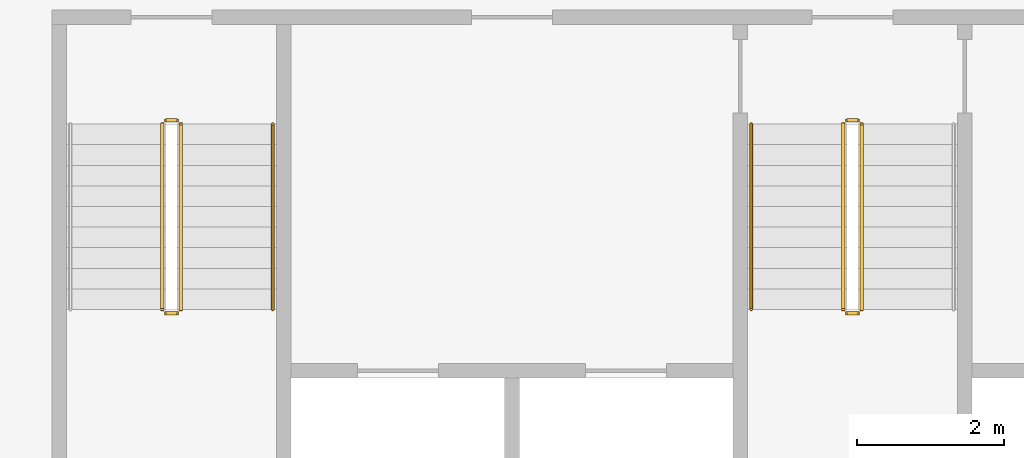
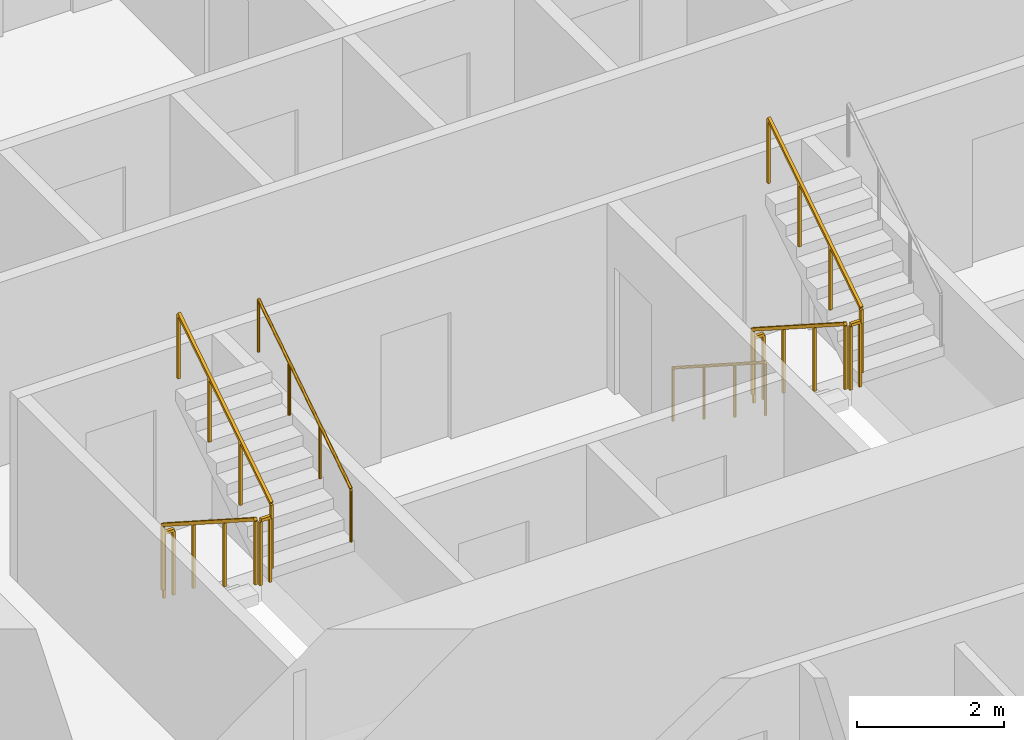
# One storey, part 14 of 16: 10 railings.
"""IFC4 building model written with IfcOpenShell, lengths in metres."""

from ifc_helpers import new_model, si_unit, direction, frame, origin, origin_2d, place, context, subcontext, project, spatial, rectangle, circle, extrude, material, type_object, element, save


model = new_model("IFC4")

# Units and contexts
model_context = context("Model", 3, precision=1e-05, world=origin(), true_north=direction((0.0, 1.0)))
body_context = subcontext(model_context, "Body", "Model", "MODEL_VIEW")
ifc_project = project(units=[si_unit("LENGTHUNIT", "METRE"), si_unit("AREAUNIT", "SQUARE_METRE"), si_unit("VOLUMEUNIT", "CUBIC_METRE"), si_unit("PLANEANGLEUNIT", "RADIAN"), si_unit("MASSUNIT", "GRAM", prefix="KILO")], contexts=[model_context])

# Site, building, storey
site_placement = place(None, origin())
site = spatial("IfcSite", under=ifc_project, at=site_placement, CompositionType="ELEMENT")
building_placement = place(site_placement, origin())
building = spatial("IfcBuilding", under=site, at=building_placement, Name="Mangrove Gate Tower", CompositionType="ELEMENT")
storey_placement = place(building_placement, frame((0.0, 0.0, 116.300048828125)))
storey = spatial("IfcBuildingStorey", under=building, at=storey_placement, Name="L29", CompositionType="ELEMENT", Elevation=116.300048828125)

# Railings
ifc_material_1 = material(Name="Stainless steel 316", Category="steel")
railing_type_1 = type_object("IfcRailingType", Name="Core stair guard 1100", PredefinedType="GUARDRAIL", material=ifc_material_1)
railing_1_placement = place(storey_placement, frame((-9.39990234375, -4.64990234375, 0.179931640625)))
element("IfcRailing", 1, at=railing_1_placement, inside=storey, type_object=railing_type_1, Name="L29 ST1 stair guard 1", PredefinedType="GUARDRAIL", context=body_context, shape_type="SweptSolid", body=[
    extrude(rectangle(XDim=0.048095703125, YDim=0.048095703125, at=origin_2d()), frame((0.0, 0.0, 1.076171875), z_axis=(0.0, -0.841162588446, 0.540782303519), x_axis=(1.0, 0.0, 0.0)), (0.0, 0.0, 1.0), 2.995849609375),
    extrude(rectangle(XDim=0.0419921875, YDim=0.0419921875, at=origin_2d()), origin(), (0.0, 0.0, 1.0), 1.052001953125),
    extrude(rectangle(XDim=0.0419921875, YDim=0.0419921875, at=origin_2d()), frame((0.0, -0.840087890625, 0.5400390625)), (0.0, 0.0, 1.0), 1.052001953125),
    extrude(rectangle(XDim=0.0419921875, YDim=0.0419921875, at=origin_2d()), frame((0.0, -1.679931640625, 1.080078125)), (0.0, 0.0, 1.0), 1.052001953125),
    extrude(rectangle(XDim=0.0419921875, YDim=0.0419921875, at=origin_2d()), frame((0.0, -2.52001953125, 1.6201171875)), (0.0, 0.0, 1.0), 1.052001953125),
])
railing_2_placement = place(storey_placement, frame((-9.35009765625, -7.219970703125, 1.800048828125)))
element("IfcRailing", 2, at=railing_2_placement, inside=storey, type_object=railing_type_1, Name="L29 ST1 stair guard 2", PredefinedType="GUARDRAIL", context=body_context, shape_type="SweptSolid", body=[
    extrude(rectangle(XDim=0.048095703125, YDim=0.048095703125, at=origin_2d()), frame((0.0, 0.0, 1.076171875), z_axis=(1.0, 0.0, 0.0), x_axis=(0.0, 1.0, 0.0)), (0.0, 0.0, 1.0), 0.150146484375),
    extrude(rectangle(XDim=0.0419921875, YDim=0.0419921875, at=origin_2d()), origin(), (0.0, 0.0, 1.0), 1.052001953125),
    extrude(rectangle(XDim=0.0419921875, YDim=0.0419921875, at=origin_2d()), frame((0.150146484375, 0.0, 0.0)), (0.0, 0.0, 1.0), 1.052001953125),
])
railing_3_placement = place(storey_placement, frame((-9.14990234375, -7.169921875, 1.97998046875)))
element("IfcRailing", 3, at=railing_3_placement, inside=storey, type_object=railing_type_1, Name="L29 ST1 stair guard 3", PredefinedType="GUARDRAIL", context=body_context, shape_type="SweptSolid", body=[
    extrude(rectangle(XDim=0.048095703125, YDim=0.048095703125, at=origin_2d()), frame((0.0, 0.0, 1.076171875), z_axis=(0.0, 0.841199657755, 0.540724639528), x_axis=(-1.0, 0.0, 0.0)), (0.0, 0.0, 1.0), 2.995849609375),
    extrude(rectangle(XDim=0.0419921875, YDim=0.0419921875, at=origin_2d()), origin(), (0.0, 0.0, 1.0), 1.052001953125),
    extrude(rectangle(XDim=0.0419921875, YDim=0.0419921875, at=origin_2d()), frame((0.0, 0.840087890625, 0.5400390625)), (0.0, 0.0, 1.0), 1.052001953125),
    extrude(rectangle(XDim=0.0419921875, YDim=0.0419921875, at=origin_2d()), frame((0.0, 1.679931640625, 1.079833984375)), (0.0, 0.0, 1.0), 1.052001953125),
    extrude(rectangle(XDim=0.0419921875, YDim=0.0419921875, at=origin_2d()), frame((0.0, 2.52001953125, 1.619873046875)), (0.0, 0.0, 1.0), 1.052001953125),
])
railing_4_placement = place(storey_placement, frame((-9.35009765625, -4.60009765625, 0.0)))
element("IfcRailing", 4, at=railing_4_placement, inside=storey, type_object=railing_type_1, Name="L29 ST1 stair guard 4", PredefinedType="GUARDRAIL", context=body_context, shape_type="SweptSolid", body=[
    extrude(rectangle(XDim=0.048095703125, YDim=0.048095703125, at=origin_2d()), frame((0.0, 0.0, 1.076171875), z_axis=(1.0, 0.0, 0.0), x_axis=(0.0, 1.0, 0.0)), (0.0, 0.0, 1.0), 0.150146484375),
    extrude(rectangle(XDim=0.0419921875, YDim=0.0419921875, at=origin_2d()), origin(), (0.0, 0.0, 1.0), 1.052001953125),
    extrude(rectangle(XDim=0.0419921875, YDim=0.0419921875, at=origin_2d()), frame((0.150146484375, 0.0, 0.0)), (0.0, 0.0, 1.0), 1.052001953125),
])
railing_5_placement = place(storey_placement, frame((-0.14990234375, -4.64990234375, 0.179931640625)))
element("IfcRailing", 5, at=railing_5_placement, inside=storey, type_object=railing_type_1, Name="L29 ST2 stair guard 1", PredefinedType="GUARDRAIL", context=body_context, shape_type="SweptSolid", body=[
    extrude(rectangle(XDim=0.048095703125, YDim=0.048095703125, at=origin_2d()), frame((0.0, 0.0, 1.076171875), z_axis=(0.0, -0.841162588446, 0.540782303519), x_axis=(1.0, 0.0, 0.0)), (0.0, 0.0, 1.0), 2.995849609375),
    extrude(rectangle(XDim=0.0419921875, YDim=0.0419921875, at=origin_2d()), origin(), (0.0, 0.0, 1.0), 1.052001953125),
    extrude(rectangle(XDim=0.0419921875, YDim=0.0419921875, at=origin_2d()), frame((0.0, -0.840087890625, 0.5400390625)), (0.0, 0.0, 1.0), 1.052001953125),
    extrude(rectangle(XDim=0.0419921875, YDim=0.0419921875, at=origin_2d()), frame((0.0, -1.679931640625, 1.080078125)), (0.0, 0.0, 1.0), 1.052001953125),
    extrude(rectangle(XDim=0.0419921875, YDim=0.0419921875, at=origin_2d()), frame((0.0, -2.52001953125, 1.6201171875)), (0.0, 0.0, 1.0), 1.052001953125),
])
railing_6_placement = place(storey_placement, frame((-0.10009765625, -7.219970703125, 1.800048828125)))
element("IfcRailing", 6, at=railing_6_placement, inside=storey, type_object=railing_type_1, Name="L29 ST2 stair guard 2", PredefinedType="GUARDRAIL", context=body_context, shape_type="SweptSolid", body=[
    extrude(rectangle(XDim=0.048095703125, YDim=0.048095703125, at=origin_2d()), frame((0.0, 0.0, 1.076171875), z_axis=(1.0, 0.0, 0.0), x_axis=(0.0, 1.0, 0.0)), (0.0, 0.0, 1.0), 0.150146484375),
    extrude(rectangle(XDim=0.0419921875, YDim=0.0419921875, at=origin_2d()), origin(), (0.0, 0.0, 1.0), 1.052001953125),
    extrude(rectangle(XDim=0.0419921875, YDim=0.0419921875, at=origin_2d()), frame((0.150146484375, 0.0, 0.0)), (0.0, 0.0, 1.0), 1.052001953125),
])
railing_7_placement = place(storey_placement, frame((0.10009765625, -7.169921875, 1.97998046875)))
element("IfcRailing", 7, at=railing_7_placement, inside=storey, type_object=railing_type_1, Name="L29 ST2 stair guard 3", PredefinedType="GUARDRAIL", context=body_context, shape_type="SweptSolid", body=[
    extrude(rectangle(XDim=0.048095703125, YDim=0.048095703125, at=origin_2d()), frame((0.0, 0.0, 1.076171875), z_axis=(0.0, 0.841199657755, 0.540724639528), x_axis=(-1.0, 0.0, 0.0)), (0.0, 0.0, 1.0), 2.995849609375),
    extrude(rectangle(XDim=0.0419921875, YDim=0.0419921875, at=origin_2d()), origin(), (0.0, 0.0, 1.0), 1.052001953125),
    extrude(rectangle(XDim=0.0419921875, YDim=0.0419921875, at=origin_2d()), frame((0.0, 0.840087890625, 0.5400390625)), (0.0, 0.0, 1.0), 1.052001953125),
    extrude(rectangle(XDim=0.0419921875, YDim=0.0419921875, at=origin_2d()), frame((0.0, 1.679931640625, 1.079833984375)), (0.0, 0.0, 1.0), 1.052001953125),
    extrude(rectangle(XDim=0.0419921875, YDim=0.0419921875, at=origin_2d()), frame((0.0, 2.52001953125, 1.619873046875)), (0.0, 0.0, 1.0), 1.052001953125),
])
railing_8_placement = place(storey_placement, frame((-0.10009765625, -4.60009765625, 0.0)))
element("IfcRailing", 8, at=railing_8_placement, inside=storey, type_object=railing_type_1, Name="L29 ST2 stair guard 4", PredefinedType="GUARDRAIL", context=body_context, shape_type="SweptSolid", body=[
    extrude(rectangle(XDim=0.048095703125, YDim=0.048095703125, at=origin_2d()), frame((0.0, 0.0, 1.076171875), z_axis=(1.0, 0.0, 0.0), x_axis=(0.0, 1.0, 0.0)), (0.0, 0.0, 1.0), 0.150146484375),
    extrude(rectangle(XDim=0.0419921875, YDim=0.0419921875, at=origin_2d()), origin(), (0.0, 0.0, 1.0), 1.052001953125),
    extrude(rectangle(XDim=0.0419921875, YDim=0.0419921875, at=origin_2d()), frame((0.150146484375, 0.0, 0.0)), (0.0, 0.0, 1.0), 1.052001953125),
])
ifc_material_2 = material(Name="Stainless steel 316", Category="steel")
railing_type_2 = type_object("IfcRailingType", Name="Core stair handrail 900", PredefinedType="HANDRAIL", material=ifc_material_2)
railing_9_placement = place(storey_placement, frame((-7.89990234375, -7.169921875, 1.97998046875)))
element("IfcRailing", 9, at=railing_9_placement, inside=storey, type_object=railing_type_2, Name="L29 ST1 stair handrail 2", PredefinedType="HANDRAIL", context=body_context, shape_type="SweptSolid", body=[
    extrude(circle(Radius=0.02392578125, at=origin_2d()), frame((0.0, 0.0, 0.8759765625), z_axis=(0.0, 0.841199657755, 0.540724639528), x_axis=(-1.0, 0.0, 0.0)), (0.0, 0.0, 1.0), 2.995849609375),
    extrude(circle(Radius=0.02099609375, at=origin_2d()), origin(), (0.0, 0.0, 1.0), 0.851806640625),
    extrude(circle(Radius=0.02099609375, at=origin_2d()), frame((0.0, 0.840087890625, 0.5400390625)), (0.0, 0.0, 1.0), 0.851806640625),
    extrude(circle(Radius=0.02099609375, at=origin_2d()), frame((0.0, 1.679931640625, 1.079833984375)), (0.0, 0.0, 1.0), 0.851806640625),
    extrude(circle(Radius=0.02099609375, at=origin_2d()), frame((0.0, 2.52001953125, 1.619873046875)), (0.0, 0.0, 1.0), 0.851806640625),
])
railing_10_placement = place(storey_placement, frame((-1.39990234375, -4.64990234375, 0.179931640625)))
element("IfcRailing", 10, at=railing_10_placement, inside=storey, type_object=railing_type_2, Name="L29 ST2 stair handrail 1", PredefinedType="HANDRAIL", context=body_context, shape_type="SweptSolid", body=[
    extrude(circle(Radius=0.02392578125, at=origin_2d()), frame((0.0, 0.0, 0.8759765625), z_axis=(0.0, -0.841162588446, 0.540782303519), x_axis=(1.0, 0.0, 0.0)), (0.0, 0.0, 1.0), 2.995849609375),
    extrude(circle(Radius=0.02099609375, at=origin_2d()), origin(), (0.0, 0.0, 1.0), 0.851806640625),
    extrude(circle(Radius=0.02099609375, at=origin_2d()), frame((0.0, -0.840087890625, 0.5400390625)), (0.0, 0.0, 1.0), 0.851806640625),
    extrude(circle(Radius=0.02099609375, at=origin_2d()), frame((0.0, -1.679931640625, 1.080078125)), (0.0, 0.0, 1.0), 0.851806640625),
    extrude(circle(Radius=0.02099609375, at=origin_2d()), frame((0.0, -2.52001953125, 1.6201171875)), (0.0, 0.0, 1.0), 0.851806640625),
])

save(model, "model.ifc")
